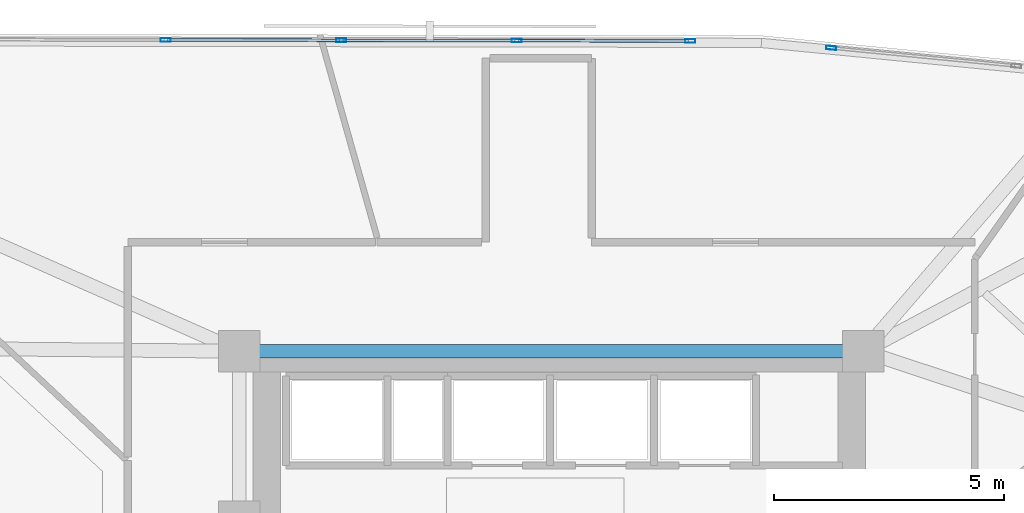
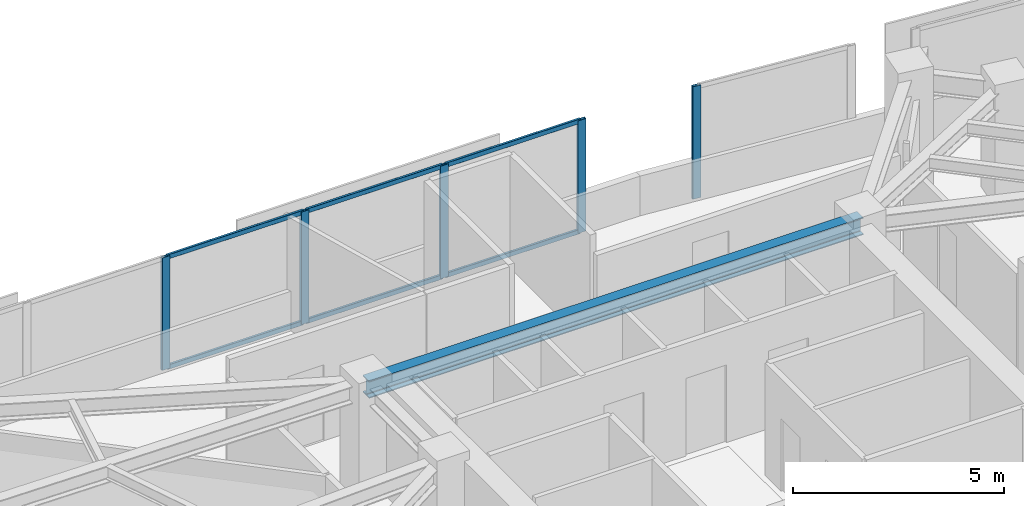
# One storey, part 3 of 13: 11 members, 1 beam, 2 elements without a shape of their own.
"""IFC4 building model written with IfcOpenShell, lengths in metres."""

from ifc_helpers import new_model, si_unit, direction, frame, origin, origin_2d, place, context, subcontext, project, spatial, hollow_rectangle, i_section, extrude, material, material_profile, profile_set, type_object, element, aggregate, save


model = new_model("IFC4")

# Units and contexts
model_context = context("Model", 3, precision=1e-05, world=origin(), true_north=direction((0.0, 1.0)))
body_context = subcontext(model_context, "Body", "Model", "MODEL_VIEW")
ifc_project = project(units=[si_unit("LENGTHUNIT", "METRE"), si_unit("AREAUNIT", "SQUARE_METRE"), si_unit("VOLUMEUNIT", "CUBIC_METRE"), si_unit("PLANEANGLEUNIT", "RADIAN"), si_unit("MASSUNIT", "GRAM", prefix="KILO")], contexts=[model_context])

# Site, building, storey
site_placement = place(None, origin())
site = spatial("IfcSite", under=ifc_project, at=site_placement, CompositionType="ELEMENT")
building_placement = place(site_placement, origin())
building = spatial("IfcBuilding", under=site, at=building_placement, Name="Narakoshi Arena Tower", CompositionType="ELEMENT")
storey_placement = place(building_placement, frame((0.0, 0.0, 246.659912109375)))
storey = spatial("IfcBuildingStorey", under=building, at=storey_placement, Name="L67", CompositionType="ELEMENT", Elevation=246.659912109375)

# Beam
ifc_material_1 = material(Name="Structural steel S355J2", Category="steel")
ifc_material_profile_1 = material_profile(ifc_material_1, i_section(OverallWidth=0.300048828125, OverallDepth=0.5, WebThickness=0.014404296875, FlangeThickness=0.028076171875, FilletRadius=0.027099609375, at=origin_2d()), Name="HE500B")
ifc_profile_set_1 = profile_set([ifc_material_profile_1], Name="Structural steel S355J2")
beam_type = type_object("IfcBeamType", Name="BM-PRI-500", PredefinedType="BEAM", material=ifc_profile_set_1)
beam_placement = place(storey_placement, frame((72.0, 56.5, 3.010009765625), z_axis=(1.0, 0.0, 0.0), x_axis=(0.0, 1.0, 0.0)))
element("IfcBeam", 1, at=beam_placement, inside=storey, type_object=beam_type, Name="L67 Core Perimeter Frame Beam CC5-CC6", PredefinedType="BEAM", context=body_context, shape_type="SweptSolid", body=[
    extrude(i_section(OverallWidth=0.300048828125, OverallDepth=0.5, WebThickness=0.014404296875, FlangeThickness=0.028076171875, FilletRadius=0.027099609375, at=origin_2d()), origin(), (0.0, 0.0, 1.0), 13.550048828125),
])

# Curtain wall, member
ifc_material_2 = material(Name="Anodised bronze aluminium 6063-T6", Category="aluminium")
curtain_wall_type = type_object("IfcCurtainWallType", Name="CW-HYP-HIGH", PredefinedType="NOTDEFINED", material=ifc_material_2)
curtain_wall_1_placement = place(storey_placement, origin())
curtain_wall_1 = element("IfcCurtainWall", 2, at=curtain_wall_1_placement, inside=storey, type_object=curtain_wall_type, Name="L67 Folded Hypotenuse Curtain Wall 1-2", PredefinedType="NOTDEFINED")
ifc_material_profile_2 = material_profile(ifc_material_2, hollow_rectangle(XDim=0.080078125, YDim=0.219970703125, WallThickness=0.0048828125, OuterFilletRadius=0.006103515625, at=origin_2d()), Name="MUL220x80x5")
ifc_profile_set_2 = profile_set([ifc_material_profile_2], Name="Anodised bronze aluminium 6063-T6")
member_type_1 = type_object("IfcMemberType", Name="MEM-MUL-220", PredefinedType="MULLION", material=ifc_profile_set_2)
member_1_placement = place(storey_placement, frame((84.853515625, 63.084716796875, 0.0), z_axis=(0.0, 0.0, 1.0), x_axis=(-0.096842858471, -0.995299683896, 0.0)))
member_1 = element("IfcMember", 3, at=member_1_placement, type_object=member_type_1, Name="CW-03 mullion 2", PredefinedType="MULLION", context=body_context, shape_type="SweptSolid", body=[
    extrude(hollow_rectangle(XDim=0.080078125, YDim=0.219970703125, WallThickness=0.0048828125, OuterFilletRadius=0.006103515625, at=origin_2d()), origin(), (0.0, 0.0, 1.0), 3.260009765625),
])
aggregate(curtain_wall_1, [member_1])

# Curtain wall, members
curtain_wall_2_placement = place(storey_placement, origin())
curtain_wall_2 = element("IfcCurtainWall", 4, at=curtain_wall_2_placement, inside=storey, type_object=curtain_wall_type, Name="L67 Folded Hypotenuse Curtain Wall 2-1", PredefinedType="NOTDEFINED")
member_2_placement = place(storey_placement, frame((81.792236328125, 63.236083984375, 0.0), z_axis=(0.0, 0.0, 1.0), x_axis=(-0.001819896899, -0.999998343986, 0.0)))
member_2 = element("IfcMember", 5, at=member_2_placement, type_object=member_type_1, Name="CW-03 mullion 1", PredefinedType="MULLION", context=body_context, shape_type="SweptSolid", body=[
    extrude(hollow_rectangle(XDim=0.080078125, YDim=0.219970703125, WallThickness=0.0048828125, OuterFilletRadius=0.006103515625, at=origin_2d()), origin(), (0.0, 0.0, 1.0), 3.260009765625),
])
member_3_placement = place(storey_placement, frame((78.0224609375, 63.242919921875, 0.0), z_axis=(0.0, 0.0, 1.0), x_axis=(-0.001819896899, -0.999998343986, 0.0)))
member_3 = element("IfcMember", 6, at=member_3_placement, type_object=member_type_1, Name="CW-03 mullion 2", PredefinedType="MULLION", context=body_context, shape_type="SweptSolid", body=[
    extrude(hollow_rectangle(XDim=0.080078125, YDim=0.219970703125, WallThickness=0.0048828125, OuterFilletRadius=0.006103515625, at=origin_2d()), origin(), (0.0, 0.0, 1.0), 3.260009765625),
])
member_4_placement = place(storey_placement, frame((74.212890625, 63.249755859375, 0.0), z_axis=(0.0, 0.0, 1.0), x_axis=(-0.001819896899, -0.999998343986, 0.0)))
member_4 = element("IfcMember", 7, at=member_4_placement, type_object=member_type_1, Name="CW-03 mullion 3", PredefinedType="MULLION", context=body_context, shape_type="SweptSolid", body=[
    extrude(hollow_rectangle(XDim=0.080078125, YDim=0.219970703125, WallThickness=0.0048828125, OuterFilletRadius=0.006103515625, at=origin_2d()), origin(), (0.0, 0.0, 1.0), 3.260009765625),
])
member_5_placement = place(storey_placement, frame((70.403076171875, 63.2568359375, 0.0), z_axis=(0.0, 0.0, 1.0), x_axis=(-0.001819896899, -0.999998343986, 0.0)))
member_5 = element("IfcMember", 8, at=member_5_placement, type_object=member_type_1, Name="CW-03 mullion 4", PredefinedType="MULLION", context=body_context, shape_type="SweptSolid", body=[
    extrude(hollow_rectangle(XDim=0.080078125, YDim=0.219970703125, WallThickness=0.0048828125, OuterFilletRadius=0.006103515625, at=origin_2d()), origin(), (0.0, 0.0, 1.0), 3.260009765625),
])
ifc_material_profile_3 = material_profile(ifc_material_2, hollow_rectangle(XDim=0.06494140625, YDim=0.1298828125, WallThickness=0.00390625, OuterFilletRadius=0.0048828125, at=origin_2d()), Name="TRN130x65x4")
ifc_profile_set_3 = profile_set([ifc_material_profile_3], Name="Anodised bronze aluminium 6063-T6")
member_type_2 = type_object("IfcMemberType", Name="MEM-TRN-130", PredefinedType="USERDEFINED", material=ifc_profile_set_3)
member_6_placement = place(storey_placement, frame((81.752197265625, 63.236083984375, 0.032470703125), z_axis=(-0.999998283738, 0.001852706408, 0.0), x_axis=(-0.001852706408, -0.999998283738, 0.0)))
member_6 = element("IfcMember", 9, at=member_6_placement, type_object=member_type_2, Name="CW-03 transom 1.1", ObjectType="TRANSOM", PredefinedType="USERDEFINED", context=body_context, shape_type="SweptSolid", body=[
    extrude(hollow_rectangle(XDim=0.06494140625, YDim=0.1298828125, WallThickness=0.00390625, OuterFilletRadius=0.0048828125, at=origin_2d()), origin(), (0.0, 0.0, 1.0), 3.689697265625),
])
member_7_placement = place(storey_placement, frame((81.752197265625, 63.236083984375, 3.2275390625), z_axis=(-0.999998283738, 0.001852706408, 0.0), x_axis=(-0.001852706408, -0.999998283738, 0.0)))
member_7 = element("IfcMember", 10, at=member_7_placement, type_object=member_type_2, Name="CW-03 transom 1.2", ObjectType="TRANSOM", PredefinedType="USERDEFINED", context=body_context, shape_type="SweptSolid", body=[
    extrude(hollow_rectangle(XDim=0.06494140625, YDim=0.1298828125, WallThickness=0.00390625, OuterFilletRadius=0.0048828125, at=origin_2d()), origin(), (0.0, 0.0, 1.0), 3.689697265625),
])
member_8_placement = place(storey_placement, frame((77.982666015625, 63.242919921875, 0.032470703125), z_axis=(-0.999998320389, 0.001832817502, 0.0), x_axis=(-0.001832817502, -0.999998320389, 0.0)))
member_8 = element("IfcMember", 11, at=member_8_placement, type_object=member_type_2, Name="CW-03 transom 2.1", ObjectType="TRANSOM", PredefinedType="USERDEFINED", context=body_context, shape_type="SweptSolid", body=[
    extrude(hollow_rectangle(XDim=0.06494140625, YDim=0.1298828125, WallThickness=0.00390625, OuterFilletRadius=0.0048828125, at=origin_2d()), origin(), (0.0, 0.0, 1.0), 3.729736328125),
])
member_9_placement = place(storey_placement, frame((77.982666015625, 63.242919921875, 3.2275390625), z_axis=(-0.999998320389, 0.001832817502, 0.0), x_axis=(-0.001832817502, -0.999998320389, 0.0)))
member_9 = element("IfcMember", 12, at=member_9_placement, type_object=member_type_2, Name="CW-03 transom 2.2", ObjectType="TRANSOM", PredefinedType="USERDEFINED", context=body_context, shape_type="SweptSolid", body=[
    extrude(hollow_rectangle(XDim=0.06494140625, YDim=0.1298828125, WallThickness=0.00390625, OuterFilletRadius=0.0048828125, at=origin_2d()), origin(), (0.0, 0.0, 1.0), 3.729736328125),
])
member_10_placement = place(storey_placement, frame((74.1728515625, 63.25, 0.032470703125), z_axis=(-0.999998320389, 0.001832817502, 0.0), x_axis=(-0.001832817502, -0.999998320389, 0.0)))
member_10 = element("IfcMember", 13, at=member_10_placement, type_object=member_type_2, Name="CW-03 transom 3.1", ObjectType="TRANSOM", PredefinedType="USERDEFINED", context=body_context, shape_type="SweptSolid", body=[
    extrude(hollow_rectangle(XDim=0.06494140625, YDim=0.1298828125, WallThickness=0.00390625, OuterFilletRadius=0.0048828125, at=origin_2d()), origin(), (0.0, 0.0, 1.0), 3.729736328125),
])
member_11_placement = place(storey_placement, frame((74.1728515625, 63.25, 3.2275390625), z_axis=(-0.999998320389, 0.001832817502, 0.0), x_axis=(-0.001832817502, -0.999998320389, 0.0)))
member_11 = element("IfcMember", 14, at=member_11_placement, type_object=member_type_2, Name="CW-03 transom 3.2", ObjectType="TRANSOM", PredefinedType="USERDEFINED", context=body_context, shape_type="SweptSolid", body=[
    extrude(hollow_rectangle(XDim=0.06494140625, YDim=0.1298828125, WallThickness=0.00390625, OuterFilletRadius=0.0048828125, at=origin_2d()), origin(), (0.0, 0.0, 1.0), 3.729736328125),
])
aggregate(curtain_wall_2, [member_2, member_3, member_4, member_5, member_6, member_7, member_8, member_9, member_10, member_11])

save(model, "model.ifc")
